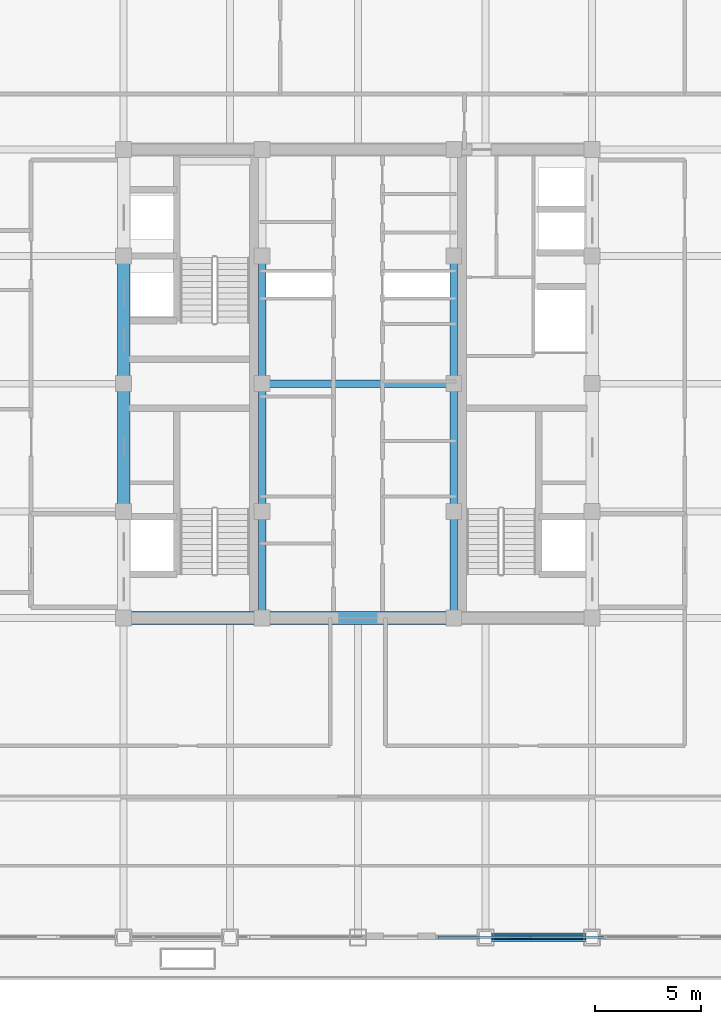
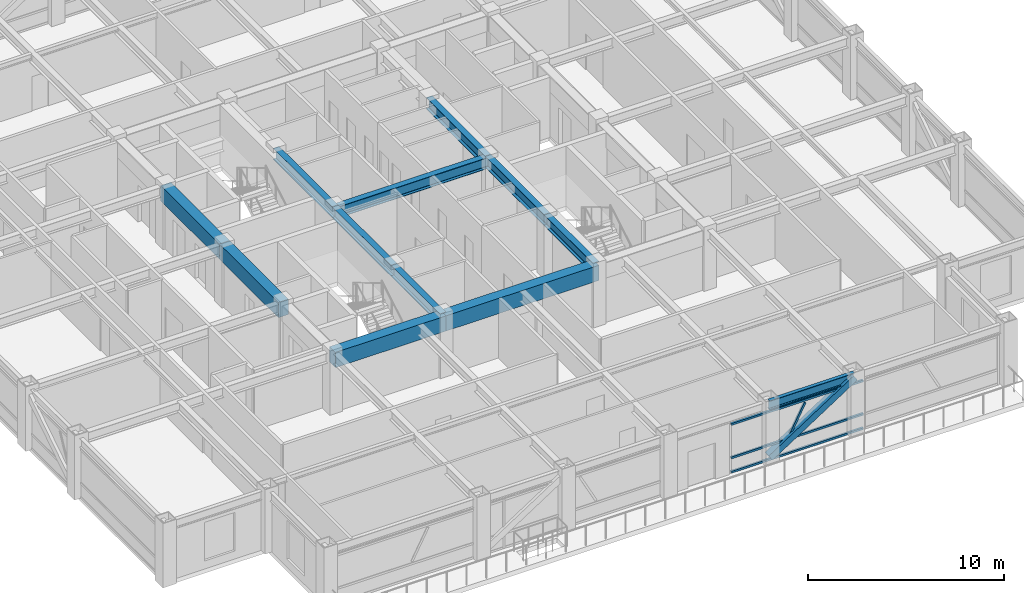
# One storey, part 8 of 30: 12 beams, 5 members, 1 element without a shape of its own.
"""IFC4 building model written with IfcOpenShell, lengths in metres."""

from ifc_helpers import new_model, si_unit, direction, frame, origin, origin_2d, place, context, subcontext, project, spatial, rectangle, hollow_rectangle, i_section, extrude, source, transform, mapped, material, material_profile, profile_set, type_object, element, aggregate, save


model = new_model("IFC4")

# Units and contexts
model_context = context("Model", 3, precision=1e-05, world=origin(), true_north=direction((0.0, 1.0)))
body_context = subcontext(model_context, "Body", "Model", "MODEL_VIEW")
ifc_project = project(units=[si_unit("LENGTHUNIT", "METRE"), si_unit("AREAUNIT", "SQUARE_METRE"), si_unit("VOLUMEUNIT", "CUBIC_METRE"), si_unit("PLANEANGLEUNIT", "RADIAN"), si_unit("MASSUNIT", "GRAM", prefix="KILO")], contexts=[model_context])

# Site, building, storey
site_placement = place(None, origin())
site = spatial("IfcSite", under=ifc_project, at=site_placement, CompositionType="ELEMENT")
building_placement = place(site_placement, origin())
building = spatial("IfcBuilding", under=site, at=building_placement, Name="Khorayat Bourse Tower", CompositionType="ELEMENT")
storey_placement = place(building_placement, frame((0.0, 0.0, 326.300048828125)))
storey = spatial("IfcBuildingStorey", under=building, at=storey_placement, Name="L77", CompositionType="ELEMENT", Elevation=326.300048828125)

# Beams
ifc_material_1 = material(Name="Steel ASTM A992 Grade 50", Category="steel")
ifc_material_profile_1 = material_profile(ifc_material_1, i_section(OverallWidth=0.35498046875, OverallDepth=0.695068359375, WebThickness=0.015380859375, FlangeThickness=0.02490234375, FilletRadius=0.01806640625, at=origin_2d()), Name="W690X217")
ifc_profile_set_1 = profile_set([ifc_material_profile_1], Name="Steel ASTM A992 Grade 50")
beam_type_1 = type_object("IfcBeamType", Name="BM-GIRD-690", PredefinedType="BEAM", material=ifc_profile_set_1)
shared_shape_1 = source(origin(), body_context, "Body", "SweptSolid", [
    extrude(i_section(OverallWidth=0.35498046875, OverallDepth=0.695068359375, WebThickness=0.015380859375, FlangeThickness=0.02490234375, FilletRadius=0.01806640625, at=origin_2d()), origin(), (0.0, 0.0, 1.0), 5.0),
])
for number, where, z_axis, x_axis, name in (
    (1, (-4.5, -11.0, 3.392333984375), (0.0, 1.0, 0.0), (-1.0, 0.0, 0.0), "L77 BM-GIRD-690 BM-L77-CRX-05"),
    (2, (4.5, -11.0, 3.392333984375), (0.0, 1.0, 0.0), (-1.0, 0.0, 0.0), "L77 BM-GIRD-690 BM-L77-CRX-09"),
):
    element("IfcBeam", number, at=place(storey_placement, frame(where, z_axis=z_axis, x_axis=x_axis)), inside=storey, type_object=beam_type_1, Name=name, PredefinedType="BEAM", context=body_context, shape_type="MappedRepresentation", body=[
        mapped(shared_shape_1, transform((0.0, 0.0, 0.0), scale=1.0)),
    ])
shared_shape_2 = source(origin(), body_context, "Body", "SweptSolid", [
    extrude(i_section(OverallWidth=0.35498046875, OverallDepth=0.695068359375, WebThickness=0.015380859375, FlangeThickness=0.02490234375, FilletRadius=0.01806640625, at=origin_2d()), origin(), (0.0, 0.0, 1.0), 6.0),
])
for number, where, z_axis, x_axis, name in (
    (3, (-4.5, -6.0, 3.392333984375), (0.0, 1.0, 0.0), (-1.0, 0.0, 0.0), "L77 BM-GIRD-690 BM-L77-CRX-06"),
    (4, (-4.5, 0.0, 3.392333984375), (0.0, 1.0, 0.0), (-1.0, 0.0, 0.0), "L77 BM-GIRD-690 BM-L77-CRX-07"),
    (5, (4.5, -6.0, 3.392333984375), (0.0, 1.0, 0.0), (-1.0, 0.0, 0.0), "L77 BM-GIRD-690 BM-L77-CRX-10"),
    (6, (4.5, 0.0, 3.392333984375), (0.0, 1.0, 0.0), (-1.0, 0.0, 0.0), "L77 BM-GIRD-690 BM-L77-CRX-11"),
):
    element("IfcBeam", number, at=place(storey_placement, frame(where, z_axis=z_axis, x_axis=x_axis)), inside=storey, type_object=beam_type_1, Name=name, PredefinedType="BEAM", context=body_context, shape_type="MappedRepresentation", body=[
        mapped(shared_shape_2, transform((0.0, 0.0, 0.0), scale=1.0)),
    ])
shared_shape_3 = source(origin(), body_context, "Body", "SweptSolid", [
    extrude(i_section(OverallWidth=0.35498046875, OverallDepth=0.695068359375, WebThickness=0.015380859375, FlangeThickness=0.02490234375, FilletRadius=0.01806640625, at=origin_2d()), origin(), (0.0, 0.0, 1.0), 9.0),
])
beam_1_placement = place(storey_placement, frame((-4.5, 0.0, 3.392333984375), z_axis=(1.0, 0.0, 0.0), x_axis=(0.0, 1.0, 0.0)))
element("IfcBeam", 7, at=beam_1_placement, inside=storey, type_object=beam_type_1, Name="L77 BM-GIRD-690 BM-L77-CRY-23", PredefinedType="BEAM", context=body_context, shape_type="MappedRepresentation", body=[
    mapped(shared_shape_3, transform((0.0, 0.0, 0.0), scale=1.0)),
])
ifc_material_2 = material(Name="Concrete C60/75", Category="concrete")
ifc_material_profile_2 = material_profile(ifc_material_2, rectangle(XDim=0.60009765625, YDim=0.949951171875, at=origin_2d()), Name="RC 600x950")
ifc_profile_set_2 = profile_set([ifc_material_profile_2], Name="Concrete C60/75")
beam_type_2 = type_object("IfcBeamType", Name="BM-COUP-950", PredefinedType="BEAM", material=ifc_profile_set_2)
shared_shape_4 = source(origin(), body_context, "Body", "SweptSolid", [
    extrude(rectangle(XDim=0.60009765625, YDim=0.949951171875, at=origin_2d()), origin(), (0.0, 0.0, 1.0), 6.0),
])
for number, where, z_axis, x_axis, name in (
    (8, (-11.0, -6.0, 3.264892578125), (0.0, 1.0, 0.0), (-1.0, 0.0, 0.0), "L77 BM-COUP-950 BM-L77-CRX-02"),
    (9, (-11.0, 0.0, 3.264892578125), (0.0, 1.0, 0.0), (-1.0, 0.0, 0.0), "L77 BM-COUP-950 BM-L77-CRX-03"),
):
    element("IfcBeam", number, at=place(storey_placement, frame(where, z_axis=z_axis, x_axis=x_axis)), inside=storey, type_object=beam_type_2, Name=name, PredefinedType="BEAM", context=body_context, shape_type="MappedRepresentation", body=[
        mapped(shared_shape_4, transform((0.0, 0.0, 0.0), scale=1.0)),
    ])
shared_shape_5 = source(origin(), body_context, "Body", "SweptSolid", [
    extrude(rectangle(XDim=0.60009765625, YDim=0.949951171875, at=origin_2d()), origin(), (0.0, 0.0, 1.0), 6.5),
])
beam_2_placement = place(storey_placement, frame((-11.0, -11.0, 3.264892578125), z_axis=(1.0, 0.0, 0.0), x_axis=(0.0, 1.0, 0.0)))
element("IfcBeam", 10, at=beam_2_placement, inside=storey, type_object=beam_type_2, Name="L77 BM-COUP-950 BM-L77-CRY-17", PredefinedType="BEAM", context=body_context, shape_type="MappedRepresentation", body=[
    mapped(shared_shape_5, transform((0.0, 0.0, 0.0), scale=1.0)),
])
shared_shape_6 = source(origin(), body_context, "Body", "SweptSolid", [
    extrude(rectangle(XDim=0.60009765625, YDim=0.949951171875, at=origin_2d()), origin(), (0.0, 0.0, 1.0), 9.0),
])
beam_3_placement = place(storey_placement, frame((-4.5, -11.0, 3.264892578125), z_axis=(1.0, 0.0, 0.0), x_axis=(0.0, 1.0, 0.0)))
element("IfcBeam", 11, at=beam_3_placement, inside=storey, type_object=beam_type_2, Name="L77 BM-COUP-950 BM-L77-CRY-18", PredefinedType="BEAM", context=body_context, shape_type="MappedRepresentation", body=[
    mapped(shared_shape_6, transform((0.0, 0.0, 0.0), scale=1.0)),
])
ifc_material_profile_3 = material_profile(ifc_material_1, i_section(OverallWidth=0.214111328125, OverallDepth=0.549072265625, WebThickness=0.0146484375, FlangeThickness=0.023681640625, FilletRadius=0.013916015625, at=origin_2d()), Name="W530X138")
ifc_profile_set_3 = profile_set([ifc_material_profile_3], Name="Steel ASTM A992 Grade 50")
beam_type_3 = type_object("IfcBeamType", Name="BM-SPAN-530", PredefinedType="SPANDREL", material=ifc_profile_set_3)
shared_shape_7 = source(origin(), body_context, "Body", "SweptSolid", [
    extrude(i_section(OverallWidth=0.214111328125, OverallDepth=0.549072265625, WebThickness=0.0146484375, FlangeThickness=0.023681640625, FilletRadius=0.013916015625, at=origin_2d()), origin(), (0.0, 0.0, 1.0), 5.0),
])
beam_4_placement = place(storey_placement, frame((6.0, -26.0, 3.46533203125), z_axis=(1.0, 0.0, 0.0), x_axis=(0.0, 1.0, 0.0)))
element("IfcBeam", 12, at=beam_4_placement, inside=storey, type_object=beam_type_3, Name="L77 BM-SPAN-530 BM-L77-SPN-028", PredefinedType="SPANDREL", context=body_context, shape_type="MappedRepresentation", body=[
    mapped(shared_shape_7, transform((0.0, 0.0, 0.0), scale=1.0)),
])

# Member
ifc_material_3 = material(Name="Steel EN 10025-4 S460M", Category="steel")
ifc_material_profile_4 = material_profile(ifc_material_3, hollow_rectangle(XDim=0.39990234375, YDim=0.39990234375, WallThickness=0.02197265625, at=origin_2d()), Name="HSS 400x400x22")
ifc_profile_set_4 = profile_set([ifc_material_profile_4], Name="Steel EN 10025-4 S460M")
member_type_1 = type_object("IfcMemberType", Name="MBR-TUBE-400", PredefinedType="BRACE", material=ifc_profile_set_4)
shared_shape_8 = source(origin(), body_context, "Body", "SweptSolid", [
    extrude(hollow_rectangle(XDim=0.39990234375, YDim=0.39990234375, WallThickness=0.02197265625, at=origin_2d()), origin(), (0.0, 0.0, 1.0), 5.9580078125),
])
member_1_placement = place(storey_placement, frame((6.0, -26.0, 0.25), z_axis=(0.839210474455, 0.0, 0.543806748364), x_axis=(0.0, 1.0, 0.0)))
element("IfcMember", 13, at=member_1_placement, inside=storey, type_object=member_type_1, Name="L77 Perimeter Tube Brace 02", PredefinedType="BRACE", context=body_context, shape_type="MappedRepresentation", body=[
    mapped(shared_shape_8, transform((0.0, 0.0, 0.0), scale=1.0)),
])

# Curtain wall, members
ifc_material_4 = material(Name="Aluminium EN AW-6063 T6", Category="aluminium")
curtain_wall_type = type_object("IfcCurtainWallType", Name="CW-SYS-04", PredefinedType="NOTDEFINED", material=ifc_material_4)
curtain_wall_placement = place(storey_placement, origin())
curtain_wall = element("IfcCurtainWall", 14, at=curtain_wall_placement, inside=storey, type_object=curtain_wall_type, Name="L77 Curtain Wall CW-L77-S2", PredefinedType="NOTDEFINED")
ifc_material_profile_5 = material_profile(ifc_material_4, hollow_rectangle(XDim=0.1201171875, YDim=0.1201171875, WallThickness=0.0048828125, at=origin_2d()), Name="ALU 120x120x5")
ifc_profile_set_5 = profile_set([ifc_material_profile_5], Name="Aluminium EN AW-6063 T6")
member_type_2 = type_object("IfcMemberType", Name="CWM-DIAG-120", PredefinedType="MULLION", material=ifc_profile_set_5)
shared_shape_9 = source(origin(), body_context, "Body", "SweptSolid", [
    extrude(hollow_rectangle(XDim=0.1201171875, YDim=0.1201171875, WallThickness=0.0048828125, at=origin_2d()), origin(), (0.0, 0.0, 1.0), 2.0341796875),
])
member_2_placement = place(storey_placement, frame((7.181396484375, -26.0, 1.08984375), z_axis=(0.465696964104, 0.0, 0.884944256789), x_axis=(0.0, 1.0, 0.0)))
member_2 = element("IfcMember", 15, at=member_2_placement, type_object=member_type_2, Name="CW-L77-S2 Faceted Diagonal Mullion 1", PredefinedType="MULLION", context=body_context, shape_type="MappedRepresentation", body=[
    mapped(shared_shape_9, transform((0.0, 0.0, 0.0), scale=1.0)),
])
ifc_material_profile_6 = material_profile(ifc_material_4, hollow_rectangle(XDim=0.1201171875, YDim=0.1201171875, WallThickness=0.0048828125, at=origin_2d()), Name="ALU 120x120x5")
ifc_profile_set_6 = profile_set([ifc_material_profile_6], Name="Aluminium EN AW-6063 T6")
member_type_3 = type_object("IfcMemberType", Name="CWT-HORZ-120", PredefinedType="USERDEFINED", material=ifc_profile_set_6)
shared_shape_10 = source(origin(), body_context, "Body", "SweptSolid", [
    extrude(hollow_rectangle(XDim=0.1201171875, YDim=0.1201171875, WallThickness=0.0048828125, at=origin_2d()), origin(), (0.0, 0.0, 1.0), 7.77001953125),
])
member_3_placement = place(storey_placement, frame((3.77001953125, -26.0, 0.06005859375), z_axis=(1.0, 0.0, 0.0), x_axis=(0.0, 1.0, 0.0)))
member_3 = element("IfcMember", 16, at=member_3_placement, type_object=member_type_3, Name="CW-L77-S2 Horizontal Transom 1-1", ObjectType="TRANSOM", PredefinedType="USERDEFINED", context=body_context, shape_type="MappedRepresentation", body=[
    mapped(shared_shape_10, transform((0.0, 0.0, 0.0), scale=1.0)),
])
member_4_placement = place(storey_placement, frame((3.77001953125, -26.0, 0.949951171875), z_axis=(1.0, 0.0, 0.0), x_axis=(0.0, 1.0, 0.0)))
member_4 = element("IfcMember", 17, at=member_4_placement, type_object=member_type_3, Name="CW-L77-S2 Horizontal Transom 1-2", ObjectType="TRANSOM", PredefinedType="USERDEFINED", context=body_context, shape_type="MappedRepresentation", body=[
    mapped(shared_shape_10, transform((0.0, 0.0, 0.0), scale=1.0)),
])
member_5_placement = place(storey_placement, frame((3.77001953125, -26.0, 3.030029296875), z_axis=(1.0, 0.0, 0.0), x_axis=(0.0, 1.0, 0.0)))
member_5 = element("IfcMember", 18, at=member_5_placement, type_object=member_type_3, Name="CW-L77-S2 Horizontal Transom 1-3", ObjectType="TRANSOM", PredefinedType="USERDEFINED", context=body_context, shape_type="MappedRepresentation", body=[
    mapped(shared_shape_10, transform((0.0, 0.0, 0.0), scale=1.0)),
])
aggregate(curtain_wall, [member_3, member_4, member_5, member_2])

save(model, "model.ifc")
